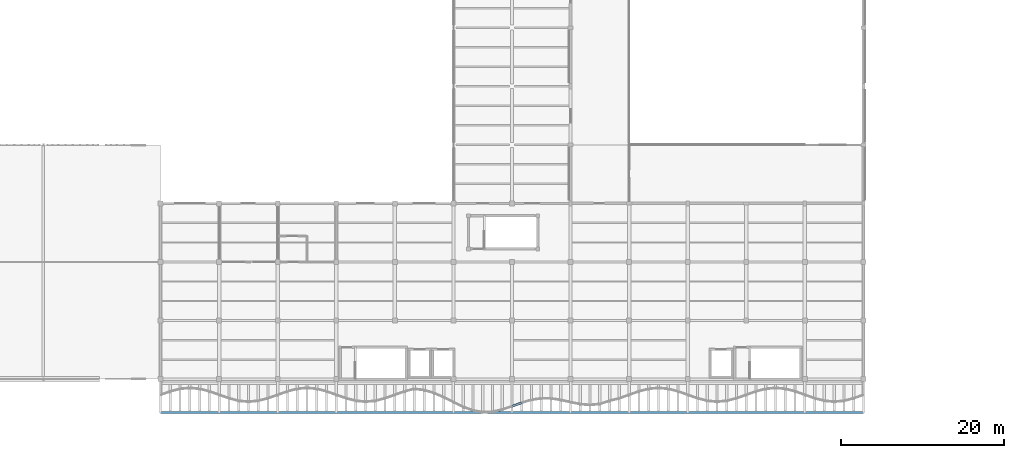
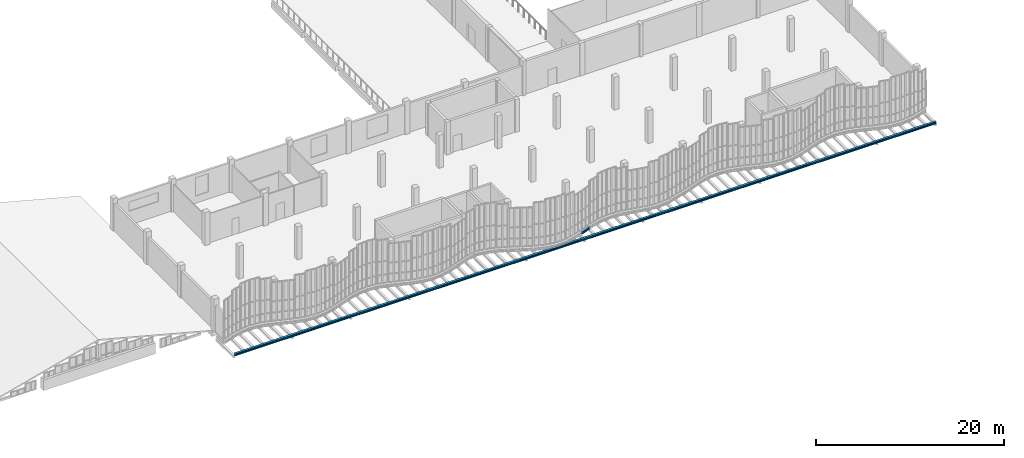
# One storey, part 16 of 76: 2 beams.
"""IFC4 building model written with IfcOpenShell, lengths in metres."""

from ifc_helpers import new_model, si_unit, direction, frame, origin, origin_2d, place, context, subcontext, project, spatial, i_section, extrude, material, material_profile, profile_set, type_object, element, save


model = new_model("IFC4")

# Units and contexts
model_context = context("Model", 3, precision=1e-05, world=origin(), true_north=direction((0.0, 1.0)))
body_context = subcontext(model_context, "Body", "Model", "MODEL_VIEW")
ifc_project = project(units=[si_unit("LENGTHUNIT", "METRE"), si_unit("AREAUNIT", "SQUARE_METRE"), si_unit("VOLUMEUNIT", "CUBIC_METRE"), si_unit("PLANEANGLEUNIT", "RADIAN"), si_unit("MASSUNIT", "GRAM", prefix="KILO"), si_unit("THERMODYNAMICTEMPERATUREUNIT", "KELVIN"), si_unit("POWERUNIT", "WATT")], contexts=[model_context])

# Site, building, storey
site_placement = place(None, origin())
site = spatial("IfcSite", under=ifc_project, at=site_placement, CompositionType="ELEMENT")
building_placement = place(site_placement, origin())
building = spatial("IfcBuilding", under=site, at=building_placement, Name="Kaldorven Railside Theatre", CompositionType="ELEMENT")
storey_placement = place(building_placement, frame((0.0, 0.0, 14.39990234375)))
storey = spatial("IfcBuildingStorey", under=building, at=storey_placement, Name="L03", CompositionType="ELEMENT", Elevation=14.39990234375)

# Beams
ifc_material = material(Name="Steel S355", Category="steel")
ifc_material_profile = material_profile(ifc_material, i_section(OverallWidth=0.280029296875, OverallDepth=0.280029296875, WebThickness=0.010498046875, FlangeThickness=0.01806640625, at=origin_2d()), Name="HEB 280")
ifc_profile_set = profile_set([ifc_material_profile], Name="Steel S355")
beam_type = type_object("IfcBeamType", Name="BM-HEB280", PredefinedType="SPANDREL", material=ifc_profile_set)
beam_1_placement = place(storey_placement, frame((36.800048828125, 15.10009765625, -0.699951171875), z_axis=(1.0, 0.0, 0.0), x_axis=(0.0, 1.0, 0.0)))
element("IfcBeam", 1, at=beam_1_placement, inside=storey, type_object=beam_type, Name="L03 Sinusoidal Out Collector Girder FOB-T038", PredefinedType="SPANDREL", context=body_context, shape_type="SweptSolid", body=[
    extrude(i_section(OverallWidth=0.280029296875, OverallDepth=0.280029296875, WebThickness=0.010498046875, FlangeThickness=0.01806640625, at=origin_2d()), origin(), (0.0, 0.0, 1.0), 86.39990234375),
])
beam_2_placement = place(storey_placement, frame((80.01416015625, 15.8515625, -0.419921875), z_axis=(0.939169047954, 0.343455236333, 0.0), x_axis=(-0.343455236333, 0.939169047954, 0.0)))
element("IfcBeam", 2, at=beam_2_placement, inside=storey, type_object=beam_type, Name="L03 Sinusoidal Flute Edge Spandrel FSB-181", PredefinedType="SPANDREL", context=body_context, shape_type="SweptSolid", body=[
    extrude(i_section(OverallWidth=0.280029296875, OverallDepth=0.280029296875, WebThickness=0.010498046875, FlangeThickness=0.01806640625, at=origin_2d()), origin(), (0.0, 0.0, 1.0), 1.24755859375),
])

save(model, "model.ifc")
